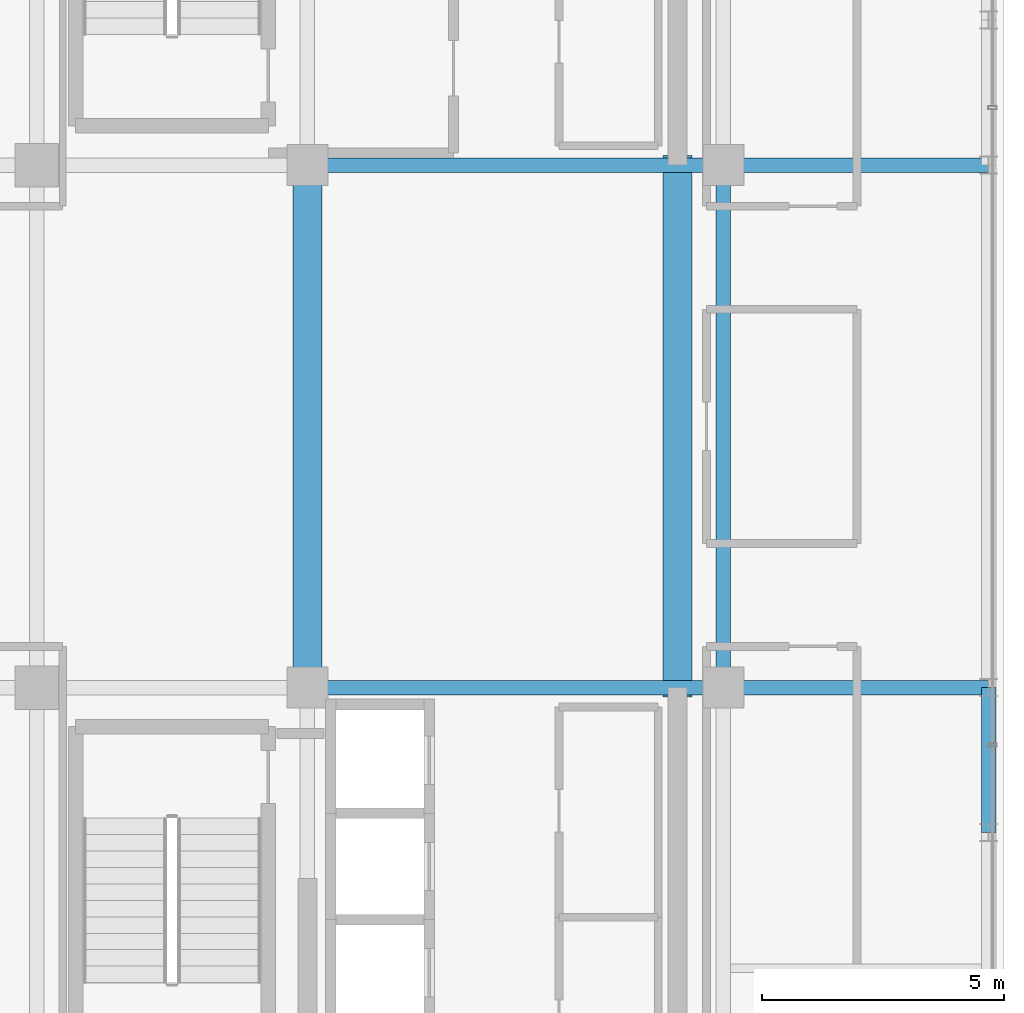
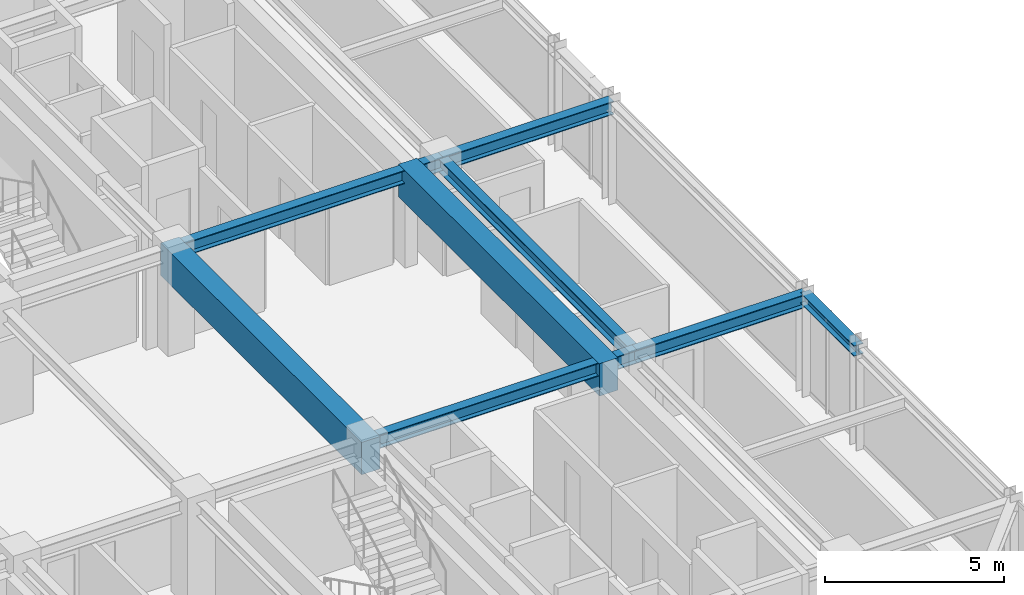
# One storey, part 15 of 31: 8 beams.
"""IFC4 building model written with IfcOpenShell, lengths in metres."""

from ifc_helpers import new_model, si_unit, direction, frame, origin, origin_2d, place, context, subcontext, project, spatial, rectangle, i_section, extrude, source, transform, mapped, material, material_profile, profile_set, type_object, element, save


model = new_model("IFC4")

# Units and contexts
model_context = context("Model", 3, precision=1e-05, world=origin(), true_north=direction((0.0, 1.0)))
body_context = subcontext(model_context, "Body", "Model", "MODEL_VIEW")
ifc_project = project(units=[si_unit("LENGTHUNIT", "METRE"), si_unit("AREAUNIT", "SQUARE_METRE"), si_unit("VOLUMEUNIT", "CUBIC_METRE"), si_unit("PLANEANGLEUNIT", "RADIAN"), si_unit("MASSUNIT", "GRAM", prefix="KILO")], contexts=[model_context])

# Site, building, storey
site_placement = place(None, origin())
site = spatial("IfcSite", under=ifc_project, at=site_placement, CompositionType="ELEMENT")
building_placement = place(site_placement, origin())
building = spatial("IfcBuilding", under=site, at=building_placement, Name="Nahalor Promenade Grand Hotel", CompositionType="ELEMENT")
storey_placement = place(building_placement, frame((0.0, 0.0, 277.550048828125)))
storey = spatial("IfcBuildingStorey", under=building, at=storey_placement, Name="L71", CompositionType="ELEMENT", Elevation=277.550048828125)

# Beams
ifc_material_1 = material(Name="Concrete B-60 (C50/60)", Category="concrete")
ifc_material_profile_1 = material_profile(ifc_material_1, rectangle(XDim=0.6, YDim=1.1, at=origin_2d()), Name="RC 600x1100")
ifc_profile_set_1 = profile_set([ifc_material_profile_1], Name="Concrete B-60 (C50/60)")
beam_type_1 = type_object("IfcBeamType", Name="Beam-Lintel-RC1100", PredefinedType="LINTEL", material=ifc_profile_set_1)
shared_shape_1 = source(origin(), body_context, "Body", "SweptSolid", [
    extrude(rectangle(XDim=0.6, YDim=1.1, at=origin_2d()), origin(), (0.0, 0.0, 1.0), 11.2001953125),
])
for number, where, z_axis, x_axis, name in (
    (1, (8.39990234375, -5.60009765625, 2.89990234375), (0.0, 1.0, 0.0), (-1.0, 0.0, 0.0), "BM-L71-LINT-W"),
    (2, (16.050048828125, -5.60009765625, 2.89990234375), (0.0, 1.0, 0.0), (-1.0, 0.0, 0.0), "BM-L71-LINT-E"),
):
    element("IfcBeam", number, at=place(storey_placement, frame(where, z_axis=z_axis, x_axis=x_axis)), inside=storey, type_object=beam_type_1, Name=name, PredefinedType="LINTEL", context=body_context, shape_type="MappedRepresentation", body=[
        mapped(shared_shape_1, transform((0.0, 0.0, 0.0), scale=1.0)),
    ])
ifc_material_2 = material(Name="Steel S355JR", Category="steel")
ifc_material_profile_2 = material_profile(ifc_material_2, i_section(OverallWidth=0.3, OverallDepth=0.45, WebThickness=0.014, FlangeThickness=0.026, at=origin_2d()), Name="HEB 450")
ifc_profile_set_2 = profile_set([ifc_material_profile_2], Name="Steel S355JR")
beam_type_2 = type_object("IfcBeamType", Name="Beam-Girder-HEB450", PredefinedType="BEAM", material=ifc_profile_set_2)
shared_shape_2 = source(origin(), body_context, "Body", "SweptSolid", [
    extrude(i_section(OverallWidth=0.3, OverallDepth=0.45, WebThickness=0.014, FlangeThickness=0.026, at=origin_2d()), origin(), (0.0, 0.0, 1.0), 8.60009765625),
])
for number, where, z_axis, x_axis, name in (
    (3, (8.39990234375, -5.39990234375, 3.224853515625), (1.0, 0.0, 0.0), (0.0, 1.0, 0.0), "BM-L71-GX-1-5"),
    (4, (8.39990234375, 5.39990234375, 3.224853515625), (1.0, 0.0, 0.0), (0.0, 1.0, 0.0), "BM-L71-GX-2-5"),
):
    element("IfcBeam", number, at=place(storey_placement, frame(where, z_axis=z_axis, x_axis=x_axis)), inside=storey, type_object=beam_type_2, Name=name, PredefinedType="BEAM", context=body_context, shape_type="MappedRepresentation", body=[
        mapped(shared_shape_2, transform((0.0, 0.0, 0.0), scale=1.0)),
    ])
shared_shape_3 = source(origin(), body_context, "Body", "SweptSolid", [
    extrude(i_section(OverallWidth=0.3, OverallDepth=0.45, WebThickness=0.014, FlangeThickness=0.026, at=origin_2d()), origin(), (0.0, 0.0, 1.0), 10.7998046875),
])
beam_1_placement = place(storey_placement, frame((17.0, -5.39990234375, 3.224853515625), z_axis=(0.0, 1.0, 0.0), x_axis=(-1.0, 0.0, 0.0)))
element("IfcBeam", 5, at=beam_1_placement, inside=storey, type_object=beam_type_2, Name="BM-L71-GY-5-2", PredefinedType="BEAM", context=body_context, shape_type="MappedRepresentation", body=[
    mapped(shared_shape_3, transform((0.0, 0.0, 0.0), scale=1.0)),
])
shared_shape_4 = source(origin(), body_context, "Body", "SweptSolid", [
    extrude(i_section(OverallWidth=0.3, OverallDepth=0.45, WebThickness=0.014, FlangeThickness=0.026, at=origin_2d()), origin(), (0.0, 0.0, 1.0), 5.47998046875),
])
for number, where, z_axis, x_axis, name in (
    (6, (17.0, -5.39990234375, 3.224853515625), (1.0, 0.0, 0.0), (0.0, 1.0, 0.0), "BM-L71-GX-1-6"),
    (7, (17.0, 5.39990234375, 3.224853515625), (1.0, 0.0, 0.0), (0.0, 1.0, 0.0), "BM-L71-GX-2-6"),
):
    element("IfcBeam", number, at=place(storey_placement, frame(where, z_axis=z_axis, x_axis=x_axis)), inside=storey, type_object=beam_type_2, Name=name, PredefinedType="BEAM", context=body_context, shape_type="MappedRepresentation", body=[
        mapped(shared_shape_4, transform((0.0, 0.0, 0.0), scale=1.0)),
    ])
ifc_material_profile_3 = material_profile(ifc_material_2, i_section(OverallWidth=0.3, OverallDepth=0.36, WebThickness=0.0125, FlangeThickness=0.0225, at=origin_2d()), Name="HEB 360")
ifc_profile_set_3 = profile_set([ifc_material_profile_3], Name="Steel S355JR")
beam_type_3 = type_object("IfcBeamType", Name="Beam-Spandrel-HEB360", PredefinedType="SPANDREL", material=ifc_profile_set_3)
shared_shape_5 = source(origin(), body_context, "Body", "SweptSolid", [
    extrude(i_section(OverallWidth=0.3, OverallDepth=0.36, WebThickness=0.0125, FlangeThickness=0.0225, at=origin_2d()), origin(), (0.0, 0.0, 1.0), 3.0),
])
beam_2_placement = place(storey_placement, frame((22.47998046875, -8.39990234375, 3.27001953125), z_axis=(0.0, 1.0, 0.0), x_axis=(-1.0, 0.0, 0.0)))
element("IfcBeam", 8, at=beam_2_placement, inside=storey, type_object=beam_type_3, Name="BM-L71-SP-E-1", PredefinedType="SPANDREL", context=body_context, shape_type="MappedRepresentation", body=[
    mapped(shared_shape_5, transform((0.0, 0.0, 0.0), scale=1.0)),
])

save(model, "model.ifc")
